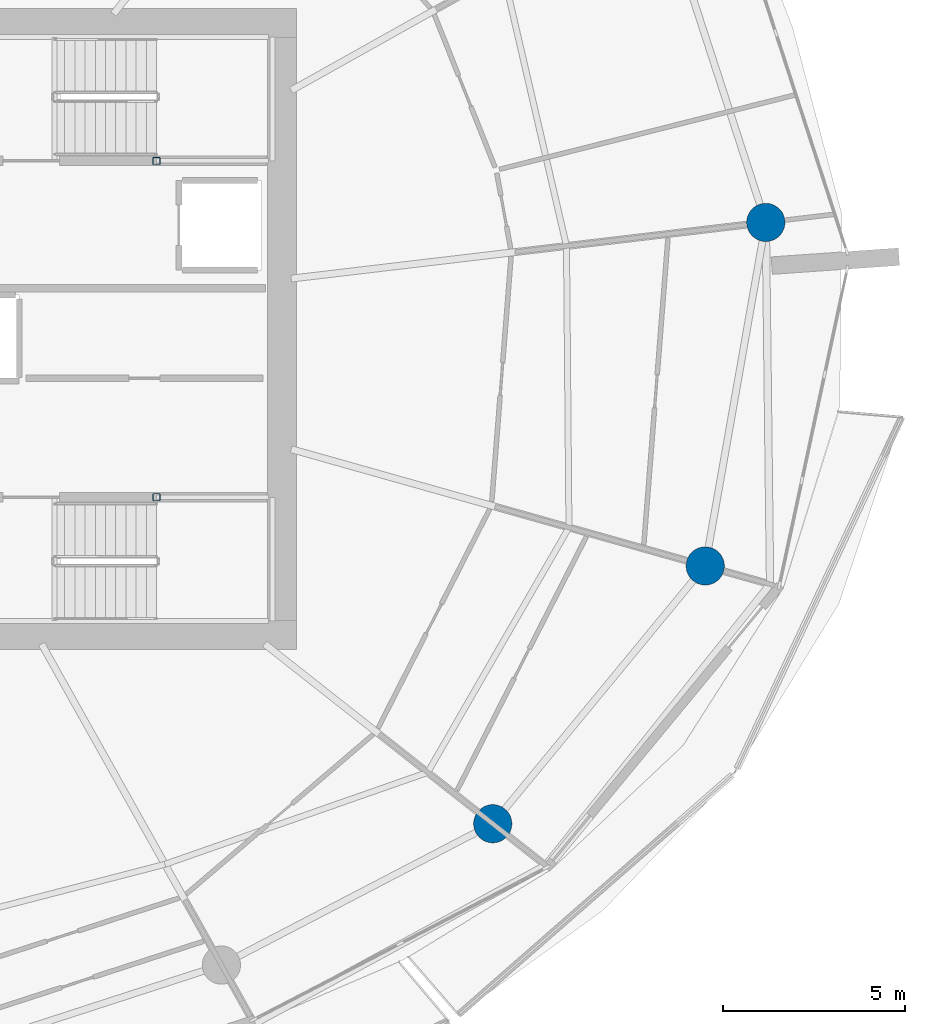
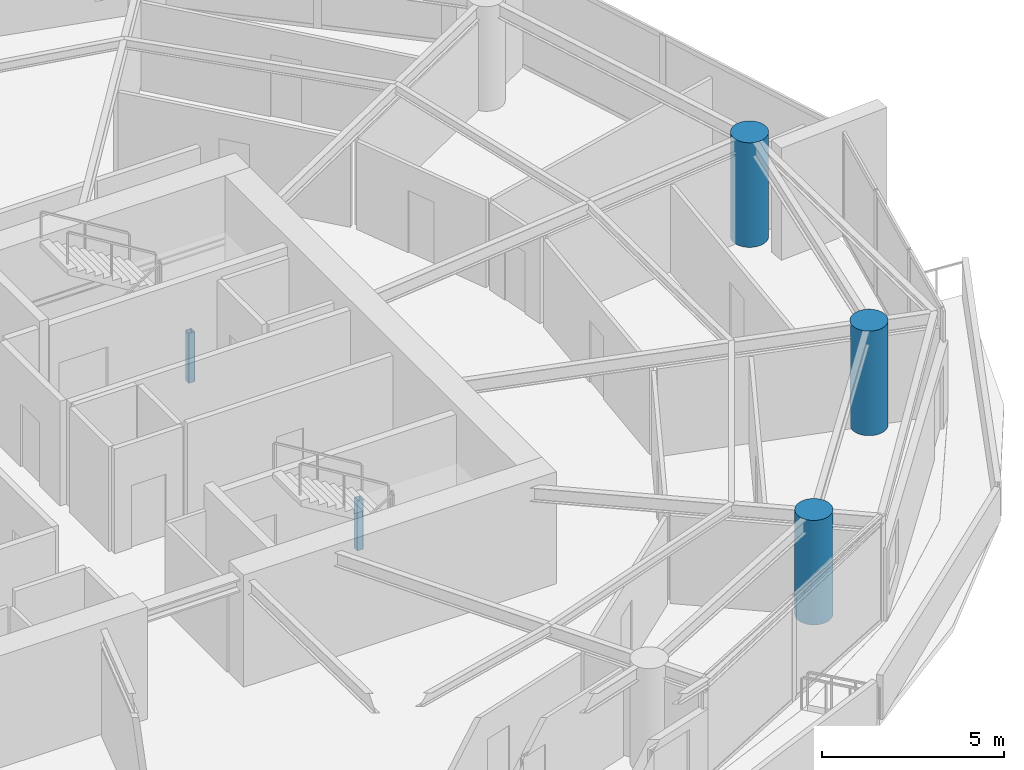
# One storey, part 3 of 20: 5 columns.
"""IFC4 building model written with IfcOpenShell, lengths in metres."""

from ifc_helpers import new_model, si_unit, direction, frame, origin, origin_2d, place, context, subcontext, project, spatial, hollow_rectangle, circle, extrude, material, material_profile, profile_set, type_object, element, save


model = new_model("IFC4")

# Units and contexts
model_context = context("Model", 3, precision=1e-05, world=origin(), true_north=direction((0.0, 1.0)))
body_context = subcontext(model_context, "Body", "Model", "MODEL_VIEW")
ifc_project = project(units=[si_unit("LENGTHUNIT", "METRE"), si_unit("AREAUNIT", "SQUARE_METRE"), si_unit("VOLUMEUNIT", "CUBIC_METRE"), si_unit("PLANEANGLEUNIT", "RADIAN"), si_unit("MASSUNIT", "GRAM", prefix="KILO")], contexts=[model_context])

# Site, building, storey
site_placement = place(None, origin())
site = spatial("IfcSite", under=ifc_project, at=site_placement, CompositionType="ELEMENT")
building_placement = place(site_placement, origin())
building = spatial("IfcBuilding", under=site, at=building_placement, Name="Kazma Halo Residences", CompositionType="ELEMENT")
storey_placement = place(building_placement, frame((0.0, 0.0, 169.050048828125)))
storey = spatial("IfcBuildingStorey", under=building, at=storey_placement, Name="L42", CompositionType="ELEMENT", Elevation=169.050048828125)

# Columns
ifc_material_1 = material(Name="Steel S355", Category="steel")
ifc_material_profile_1 = material_profile(ifc_material_1, hollow_rectangle(XDim=0.199951171875, YDim=0.199951171875, WallThickness=0.010009765625, InnerFilletRadius=0.010009765625, OuterFilletRadius=0.02001953125, at=origin_2d()), Name="SHS200x200x10")
ifc_profile_set_1 = profile_set([ifc_material_profile_1], Name="Steel S355")
column_type_1 = type_object("IfcColumnType", Name="COL-LP-SHS200", PredefinedType="COLUMN", material=ifc_profile_set_1)
for number, where, z_axis, x_axis, name in (
    (1, (56.0, 46.6201171875, 0.0), (0.0, 0.0, 1.0), (1.0, 0.0, 0.0), "L42 ST-02 landing pilaster 1"),
    (2, (56.0, 37.3798828125, 0.0), (0.0, 0.0, 1.0), (1.0, 0.0, 0.0), "L42 ST-03 landing pilaster 1"),
):
    element("IfcColumn", number, at=place(storey_placement, frame(where, z_axis=z_axis, x_axis=x_axis)), inside=storey, type_object=column_type_1, Name=name, PredefinedType="COLUMN", context=body_context, shape_type="SweptSolid", body=[
        extrude(hollow_rectangle(XDim=0.199951171875, YDim=0.199951171875, WallThickness=0.010009765625, InnerFilletRadius=0.010009765625, OuterFilletRadius=0.02001953125, at=origin_2d()), origin(), (0.0, 0.0, 1.0), 1.669921875),
    ])
ifc_material_2 = material(Name="Concrete C80/95", Category="concrete")
ifc_material_profile_2 = material_profile(ifc_material_2, circle(Radius=0.52490234375, at=origin_2d()), Name="CIRC1050")
ifc_profile_set_2 = profile_set([ifc_material_profile_2], Name="Concrete C80/95")
column_type_2 = type_object("IfcColumnType", Name="COL-PERIM-1050", PredefinedType="COLUMN", material=ifc_profile_set_2)
for number, where, z_axis, x_axis, name in (
    (3, (65.234375, 28.41357421875, 0.0), (0.0, 0.0, 1.0), (1.0, 0.0, 0.0), "L42 perimeter ring column P14"),
    (4, (71.06982421875, 35.49365234375, 0.0), (0.0, 0.0, 1.0), (1.0, 0.0, 0.0), "L42 perimeter ring column P15"),
    (5, (72.733154296875, 44.927490234375, 0.0), (0.0, 0.0, 1.0), (1.0, 0.0, 0.0), "L42 perimeter ring column P16"),
):
    element("IfcColumn", number, at=place(storey_placement, frame(where, z_axis=z_axis, x_axis=x_axis)), inside=storey, type_object=column_type_2, Name=name, PredefinedType="COLUMN", context=body_context, shape_type="SweptSolid", body=[
        extrude(circle(Radius=0.52490234375, at=origin_2d()), origin(), (0.0, 0.0, 1.0), 3.5),
    ])

save(model, "model.ifc")
